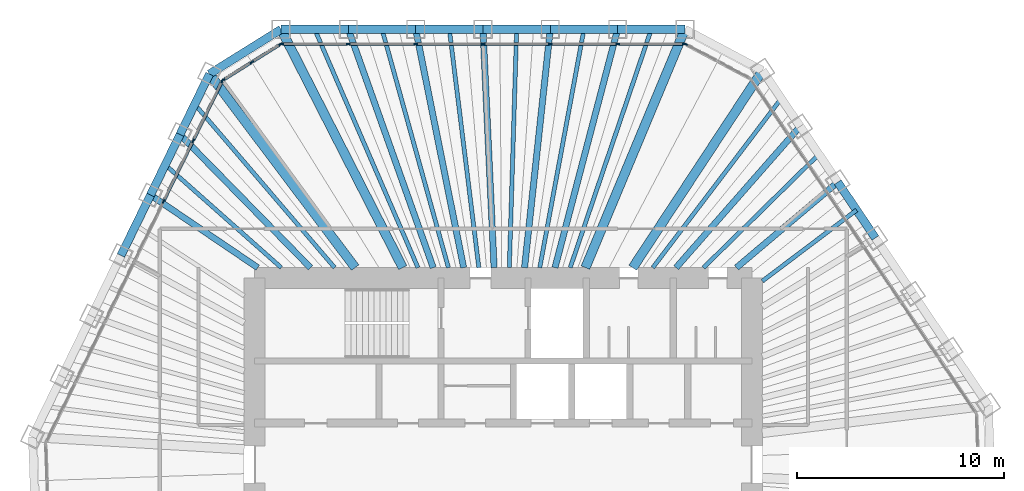
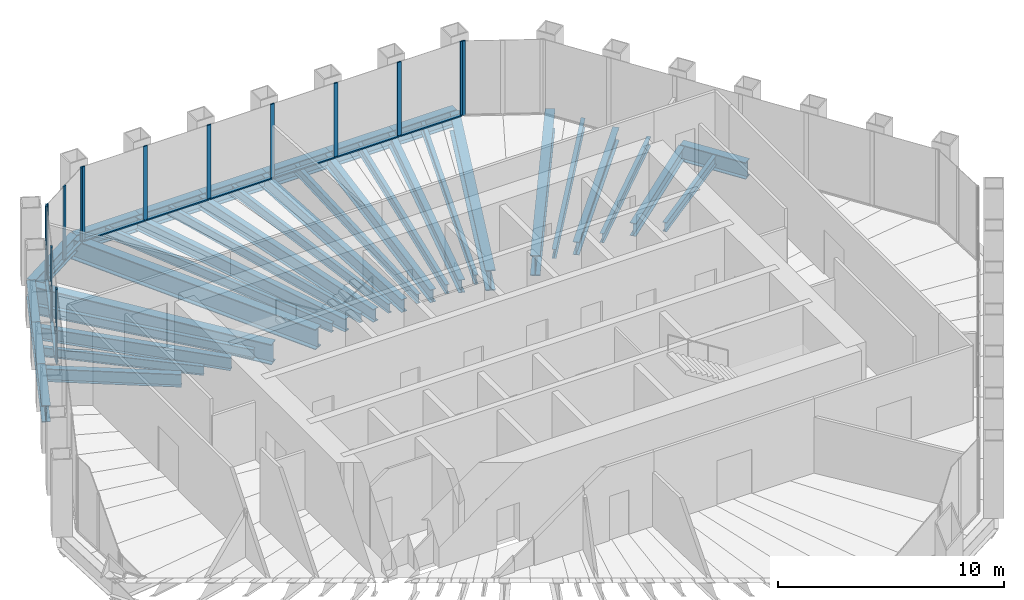
# One storey, part 7 of 14: 35 beams, 24 members, 4 elements without a shape of their own.
"""IFC4 building model written with IfcOpenShell, lengths in metres."""

from ifc_helpers import new_model, si_unit, direction, frame, origin, origin_2d, place, context, subcontext, project, spatial, rectangle, i_section, extrude, material, material_profile, profile_set, type_object, element, aggregate, save


model = new_model("IFC4")

# Units and contexts
model_context = context("Model", 3, precision=1e-05, world=origin(), true_north=direction((0.0, 1.0)))
body_context = subcontext(model_context, "Body", "Model", "MODEL_VIEW")
ifc_project = project(units=[si_unit("LENGTHUNIT", "METRE"), si_unit("AREAUNIT", "SQUARE_METRE"), si_unit("VOLUMEUNIT", "CUBIC_METRE"), si_unit("PLANEANGLEUNIT", "RADIAN"), si_unit("MASSUNIT", "GRAM", prefix="KILO")], contexts=[model_context])

# Site, building, storey
site_placement = place(None, origin())
site = spatial("IfcSite", under=ifc_project, at=site_placement, CompositionType="ELEMENT")
building_placement = place(site_placement, origin())
building = spatial("IfcBuilding", under=site, at=building_placement, Name="Qingtian Harvest Tower", CompositionType="ELEMENT")
storey_placement = place(building_placement, frame((0.0, 0.0, 295.60009765625)))
storey = spatial("IfcBuildingStorey", under=building, at=storey_placement, Name="L65", CompositionType="ELEMENT", Elevation=295.60009765625)

# Beams
ifc_material_1 = material(Name="Steel SM570MC", Category="steel")
ifc_material_profile_1 = material_profile(ifc_material_1, i_section(OverallWidth=0.449951171875, OverallDepth=1.10009765625, WebThickness=0.02197265625, FlangeThickness=0.044921875, at=origin_2d()), Name="H1100x450x22x45")
ifc_profile_set_1 = profile_set([ifc_material_profile_1], Name="Steel SM570MC")
beam_type_1 = type_object("IfcBeamType", Name="Corner floor beam FB8 H1100x450x22x45", PredefinedType="BEAM", material=ifc_profile_set_1)
beam_1_placement = place(storey_placement, frame((-10.72216796875, 21.0, -0.72021484375), z_axis=(0.454730568944, -0.890629052787, 0.0), x_axis=(0.890629052787, 0.454730568944, 0.0)))
element("IfcBeam", 1, at=beam_1_placement, inside=storey, type_object=beam_type_1, Name="Floor beam FB8 N0", PredefinedType="BEAM", context=body_context, shape_type="SweptSolid", body=[
    extrude(i_section(OverallWidth=0.449951171875, OverallDepth=1.10009765625, WebThickness=0.02197265625, FlangeThickness=0.044921875, at=origin_2d()), origin(), (0.0, 0.0, 1.0), 12.912109375),
])
beam_2_placement = place(storey_placement, frame((8.765869140625, 21.0, -0.72021484375), z_axis=(-0.385205133264, -0.922830973313, 0.0), x_axis=(0.922830973313, -0.385205133264, 0.0)))
element("IfcBeam", 2, at=beam_2_placement, inside=storey, type_object=beam_type_1, Name="Floor beam FB8 N6", PredefinedType="BEAM", context=body_context, shape_type="SweptSolid", body=[
    extrude(i_section(OverallWidth=0.449951171875, OverallDepth=1.10009765625, WebThickness=0.02197265625, FlangeThickness=0.044921875, at=origin_2d()), origin(), (0.0, 0.0, 1.0), 12.461669921875),
])
beam_3_placement = place(storey_placement, frame((12.508056640625, 19.01025390625, -0.72021484375), z_axis=(-0.549666916329, -0.835383912398, 0.0), x_axis=(0.835383912398, -0.549666916329, 0.0)))
element("IfcBeam", 3, at=beam_3_placement, inside=storey, type_object=beam_type_1, Name="Floor beam FB8 NE0", PredefinedType="BEAM", context=body_context, shape_type="SweptSolid", body=[
    extrude(i_section(OverallWidth=0.449951171875, OverallDepth=1.10009765625, WebThickness=0.02197265625, FlangeThickness=0.044921875, at=origin_2d()), origin(), (0.0, 0.0, 1.0), 11.38427734375),
])
beam_4_placement = place(storey_placement, frame((-14.17431640625, 18.8427734375, -0.72021484375), z_axis=(0.601148761641, -0.799137138655, 0.0), x_axis=(0.799137138655, 0.601148761641, 0.0)))
element("IfcBeam", 4, at=beam_4_placement, inside=storey, type_object=beam_type_1, Name="Floor beam FB8 NW6", PredefinedType="BEAM", context=body_context, shape_type="SweptSolid", body=[
    extrude(i_section(OverallWidth=0.449951171875, OverallDepth=1.10009765625, WebThickness=0.02197265625, FlangeThickness=0.044921875, at=origin_2d()), origin(), (0.0, 0.0, 1.0), 11.691162109375),
])
ifc_material_2 = material(Name="Steel SN490B", Category="steel")
ifc_material_profile_2 = material_profile(ifc_material_2, i_section(OverallWidth=0.300048828125, OverallDepth=0.699951171875, WebThickness=0.012939453125, FlangeThickness=0.02392578125, at=origin_2d()), Name="H700x300x13x24")
ifc_profile_set_2 = profile_set([ifc_material_profile_2], Name="Steel SN490B")
beam_type_2 = type_object("IfcBeamType", Name="Floor beam FB4 H700x300x13x24", PredefinedType="BEAM", material=ifc_profile_set_2)
beam_5_placement = place(storey_placement, frame((-7.47412109375, 21.0, -0.52001953125), z_axis=(0.335309922571, -0.94210787908, 0.0), x_axis=(0.94210787908, 0.335309922571, 0.0)))
element("IfcBeam", 5, at=beam_5_placement, inside=storey, type_object=beam_type_2, Name="Floor beam FB4 N1", PredefinedType="BEAM", context=body_context, shape_type="SweptSolid", body=[
    extrude(i_section(OverallWidth=0.300048828125, OverallDepth=0.699951171875, WebThickness=0.012939453125, FlangeThickness=0.02392578125, at=origin_2d()), origin(), (0.0, 0.0, 1.0), 12.206787109375),
])
beam_6_placement = place(storey_placement, frame((-4.226318359375, 21.0, -0.52001953125), z_axis=(0.197300692693, -0.980343019898, 0.0), x_axis=(0.980343019898, 0.197300692693, 0.0)))
element("IfcBeam", 6, at=beam_6_placement, inside=storey, type_object=beam_type_2, Name="Floor beam FB4 N2", PredefinedType="BEAM", context=body_context, shape_type="SweptSolid", body=[
    extrude(i_section(OverallWidth=0.300048828125, OverallDepth=0.699951171875, WebThickness=0.012939453125, FlangeThickness=0.02392578125, at=origin_2d()), origin(), (0.0, 0.0, 1.0), 11.73046875),
])
beam_7_placement = place(storey_placement, frame((-0.978271484375, 21.0, -0.52001953125), z_axis=(0.046527342366, -0.99891701678, 0.0), x_axis=(0.99891701678, 0.046527342366, 0.0)))
element("IfcBeam", 7, at=beam_7_placement, inside=storey, type_object=beam_type_2, Name="Floor beam FB4 N3", PredefinedType="BEAM", context=body_context, shape_type="SweptSolid", body=[
    extrude(i_section(OverallWidth=0.300048828125, OverallDepth=0.699951171875, WebThickness=0.012939453125, FlangeThickness=0.02392578125, at=origin_2d()), origin(), (0.0, 0.0, 1.0), 11.512451171875),
])
beam_8_placement = place(storey_placement, frame((2.269775390625, 21.0, -0.52001953125), z_axis=(-0.107454213734, -0.994210034123, 0.0), x_axis=(0.994210034123, -0.107454213734, 0.0)))
element("IfcBeam", 8, at=beam_8_placement, inside=storey, type_object=beam_type_2, Name="Floor beam FB4 N4", PredefinedType="BEAM", context=body_context, shape_type="SweptSolid", body=[
    extrude(i_section(OverallWidth=0.300048828125, OverallDepth=0.699951171875, WebThickness=0.012939453125, FlangeThickness=0.02392578125, at=origin_2d()), origin(), (0.0, 0.0, 1.0), 11.56689453125),
])
beam_9_placement = place(storey_placement, frame((5.517822265625, 21.0, -0.52001953125), z_axis=(-0.254132470973, -0.967169420111, 0.0), x_axis=(0.967169420111, -0.254132470973, 0.0)))
element("IfcBeam", 9, at=beam_9_placement, inside=storey, type_object=beam_type_2, Name="Floor beam FB4 N5", PredefinedType="BEAM", context=body_context, shape_type="SweptSolid", body=[
    extrude(i_section(OverallWidth=0.300048828125, OverallDepth=0.699951171875, WebThickness=0.012939453125, FlangeThickness=0.02392578125, at=origin_2d()), origin(), (0.0, 0.0, 1.0), 11.890380859375),
])
beam_10_placement = place(storey_placement, frame((14.32421875, 16.317626953125, -0.52001953125), z_axis=(-0.659702205655, -0.751527111856, 0.0), x_axis=(0.751527111856, -0.659702205655, 0.0)))
element("IfcBeam", 10, at=beam_10_placement, inside=storey, type_object=beam_type_2, Name="Floor beam FB4 NE1", PredefinedType="BEAM", context=body_context, shape_type="SweptSolid", body=[
    extrude(i_section(OverallWidth=0.300048828125, OverallDepth=0.699951171875, WebThickness=0.012939453125, FlangeThickness=0.02392578125, at=origin_2d()), origin(), (0.0, 0.0, 1.0), 9.07177734375),
])
beam_11_placement = place(storey_placement, frame((16.140625, 13.624755859375, -0.52001953125), z_axis=(-0.764153276603, -0.645034704382, 0.0), x_axis=(0.645034704382, -0.764153276603, 0.0)))
element("IfcBeam", 11, at=beam_11_placement, inside=storey, type_object=beam_type_2, Name="Floor beam FB4 NE2", PredefinedType="BEAM", context=body_context, shape_type="SweptSolid", body=[
    extrude(i_section(OverallWidth=0.300048828125, OverallDepth=0.699951171875, WebThickness=0.012939453125, FlangeThickness=0.02392578125, at=origin_2d()), origin(), (0.0, 0.0, 1.0), 6.39453125),
])
beam_12_placement = place(storey_placement, frame((-17.02197265625, 13.00439453125, -0.52001953125), z_axis=(0.827854296295, -0.560943191514, 0.0), x_axis=(0.560943191514, 0.827854296295, 0.0)))
element("IfcBeam", 12, at=beam_12_placement, inside=storey, type_object=beam_type_2, Name="Floor beam FB4 NW4", PredefinedType="BEAM", context=body_context, shape_type="SweptSolid", body=[
    extrude(i_section(OverallWidth=0.300048828125, OverallDepth=0.699951171875, WebThickness=0.012939453125, FlangeThickness=0.02392578125, at=origin_2d()), origin(), (0.0, 0.0, 1.0), 6.247314453125),
])
beam_13_placement = place(storey_placement, frame((-15.59814453125, 15.923583984375, -0.52001953125), z_axis=(0.699765413715, -0.714372707883, 0.0), x_axis=(0.714372707883, 0.699765413715, 0.0)))
element("IfcBeam", 13, at=beam_13_placement, inside=storey, type_object=beam_type_2, Name="Floor beam FB4 NW5", PredefinedType="BEAM", context=body_context, shape_type="SweptSolid", body=[
    extrude(i_section(OverallWidth=0.300048828125, OverallDepth=0.699951171875, WebThickness=0.012939453125, FlangeThickness=0.02392578125, at=origin_2d()), origin(), (0.0, 0.0, 1.0), 8.991943359375),
])
ifc_material_3 = material(Name="Steel SN490B", Category="steel")
ifc_material_profile_3 = material_profile(ifc_material_3, i_section(OverallWidth=0.199951171875, OverallDepth=0.5, WebThickness=0.010009765625, FlangeThickness=0.01611328125, at=origin_2d()), Name="H500x200x10x16")
ifc_profile_set_3 = profile_set([ifc_material_profile_3], Name="Steel SN490B")
beam_type_3 = type_object("IfcBeamType", Name="Floor joist J3 H500x200x10x16", PredefinedType="JOIST", material=ifc_profile_set_3)
beam_14_placement = place(storey_placement, frame((-9.09814453125, 21.0, -0.420166015625), z_axis=(0.397529807491, -0.917589261138, 0.0), x_axis=(0.917589261138, 0.397529807491, 0.0)))
element("IfcBeam", 14, at=beam_14_placement, inside=storey, type_object=beam_type_3, Name="Floor joist J3 N0", PredefinedType="JOIST", context=body_context, shape_type="SweptSolid", body=[
    extrude(i_section(OverallWidth=0.199951171875, OverallDepth=0.5, WebThickness=0.010009765625, FlangeThickness=0.01611328125, at=origin_2d()), origin(), (0.0, 0.0, 1.0), 12.532958984375),
])
beam_15_placement = place(storey_placement, frame((-5.85009765625, 21.0, -0.420166015625), z_axis=(0.268356818155, -0.963319582563, 0.0), x_axis=(0.963319582563, 0.268356818155, 0.0)))
element("IfcBeam", 15, at=beam_15_placement, inside=storey, type_object=beam_type_3, Name="Floor joist J3 N1", PredefinedType="JOIST", context=body_context, shape_type="SweptSolid", body=[
    extrude(i_section(OverallWidth=0.199951171875, OverallDepth=0.5, WebThickness=0.010009765625, FlangeThickness=0.01611328125, at=origin_2d()), origin(), (0.0, 0.0, 1.0), 11.93798828125),
])
beam_16_placement = place(storey_placement, frame((-2.602294921875, 21.0, -0.420166015625), z_axis=(0.122976702395, -0.992409557929, 0.0), x_axis=(0.992409557929, 0.122976702395, 0.0)))
element("IfcBeam", 16, at=beam_16_placement, inside=storey, type_object=beam_type_3, Name="Floor joist J3 N2", PredefinedType="JOIST", context=body_context, shape_type="SweptSolid", body=[
    extrude(i_section(OverallWidth=0.199951171875, OverallDepth=0.5, WebThickness=0.010009765625, FlangeThickness=0.01611328125, at=origin_2d()), origin(), (0.0, 0.0, 1.0), 11.587890625),
])
beam_17_placement = place(storey_placement, frame((0.645751953125, 21.0, -0.420166015625), z_axis=(-0.030725974878, -0.999527845769, 0.0), x_axis=(0.999527845769, -0.030725974878, 0.0)))
element("IfcBeam", 17, at=beam_17_placement, inside=storey, type_object=beam_type_3, Name="Floor joist J3 N3", PredefinedType="JOIST", context=body_context, shape_type="SweptSolid", body=[
    extrude(i_section(OverallWidth=0.199951171875, OverallDepth=0.5, WebThickness=0.010009765625, FlangeThickness=0.01611328125, at=origin_2d()), origin(), (0.0, 0.0, 1.0), 11.50537109375),
])
beam_18_placement = place(storey_placement, frame((3.893798828125, 21.0, -0.420166015625), z_axis=(-0.182312001941, -0.983240730416, 0.0), x_axis=(0.983240730416, -0.182312001941, 0.0)))
element("IfcBeam", 18, at=beam_18_placement, inside=storey, type_object=beam_type_3, Name="Floor joist J3 N4", PredefinedType="JOIST", context=body_context, shape_type="SweptSolid", body=[
    extrude(i_section(OverallWidth=0.199951171875, OverallDepth=0.5, WebThickness=0.010009765625, FlangeThickness=0.01611328125, at=origin_2d()), origin(), (0.0, 0.0, 1.0), 11.696044921875),
])
beam_19_placement = place(storey_placement, frame((7.141845703125, 21.0, -0.420166015625), z_axis=(-0.321968312345, -0.94675044539, 0.0), x_axis=(0.94675044539, -0.321968312345, 0.0)))
element("IfcBeam", 19, at=beam_19_placement, inside=storey, type_object=beam_type_3, Name="Floor joist J3 N5", PredefinedType="JOIST", context=body_context, shape_type="SweptSolid", body=[
    extrude(i_section(OverallWidth=0.199951171875, OverallDepth=0.5, WebThickness=0.010009765625, FlangeThickness=0.01611328125, at=origin_2d()), origin(), (0.0, 0.0, 1.0), 12.146728515625),
])
beam_20_placement = place(storey_placement, frame((13.416015625, 17.6640625, -0.420166015625), z_axis=(-0.604835675798, -0.796350303122, 0.0), x_axis=(0.796350303122, -0.604835675798, 0.0)))
element("IfcBeam", 20, at=beam_20_placement, inside=storey, type_object=beam_type_3, Name="Floor joist J3 NE0", PredefinedType="JOIST", context=body_context, shape_type="SweptSolid", body=[
    extrude(i_section(OverallWidth=0.199951171875, OverallDepth=0.5, WebThickness=0.010009765625, FlangeThickness=0.01611328125, at=origin_2d()), origin(), (0.0, 0.0, 1.0), 10.251953125),
])
beam_21_placement = place(storey_placement, frame((15.232421875, 14.97119140625, -0.420166015625), z_axis=(-0.713195408707, -0.700965269467, 0.0), x_axis=(0.700965269467, -0.713195408707, 0.0)))
element("IfcBeam", 21, at=beam_21_placement, inside=storey, type_object=beam_type_3, Name="Floor joist J3 NE1", PredefinedType="JOIST", context=body_context, shape_type="SweptSolid", body=[
    extrude(i_section(OverallWidth=0.199951171875, OverallDepth=0.5, WebThickness=0.010009765625, FlangeThickness=0.01611328125, at=origin_2d()), origin(), (0.0, 0.0, 1.0), 7.80517578125),
])
beam_22_placement = place(storey_placement, frame((17.048583984375, 12.278564453125, -0.420166015625), z_axis=(-0.79856269076, -0.601911645448, 0.0), x_axis=(0.601911645448, -0.79856269076, 0.0)))
element("IfcBeam", 22, at=beam_22_placement, inside=storey, type_object=beam_type_3, Name="Floor joist J3 NE2", PredefinedType="JOIST", context=body_context, shape_type="SweptSolid", body=[
    extrude(i_section(OverallWidth=0.199951171875, OverallDepth=0.5, WebThickness=0.010009765625, FlangeThickness=0.01611328125, at=origin_2d()), origin(), (0.0, 0.0, 1.0), 5.696044921875),
])
beam_23_placement = place(storey_placement, frame((-16.31005859375, 14.4638671875, -0.420166015625), z_axis=(0.748179407524, -0.663496476372, 0.0), x_axis=(0.663496476372, 0.748179407524, 0.0)))
element("IfcBeam", 23, at=beam_23_placement, inside=storey, type_object=beam_type_3, Name="Floor joist J3 NW4", PredefinedType="JOIST", context=body_context, shape_type="SweptSolid", body=[
    extrude(i_section(OverallWidth=0.199951171875, OverallDepth=0.5, WebThickness=0.010009765625, FlangeThickness=0.01611328125, at=origin_2d()), origin(), (0.0, 0.0, 1.0), 7.4814453125),
])
beam_24_placement = place(storey_placement, frame((-14.88623046875, 17.38330078125, -0.420166015625), z_axis=(0.650436795804, -0.7595603825, 0.0), x_axis=(0.7595603825, 0.650436795804, 0.0)))
element("IfcBeam", 24, at=beam_24_placement, inside=storey, type_object=beam_type_3, Name="Floor joist J3 NW5", PredefinedType="JOIST", context=body_context, shape_type="SweptSolid", body=[
    extrude(i_section(OverallWidth=0.199951171875, OverallDepth=0.5, WebThickness=0.010009765625, FlangeThickness=0.01611328125, at=origin_2d()), origin(), (0.0, 0.0, 1.0), 10.378662109375),
])

# Curtain wall, members
ifc_material_4 = material(Name="Bronze-anodised aluminium curtain wall", Category="aluminium")
curtain_wall_type = type_object("IfcCurtainWallType", Name="Curtain wall CW5 upper office", PredefinedType="USERDEFINED", material=ifc_material_4)
curtain_wall_1_placement = place(storey_placement, origin())
curtain_wall_1 = element("IfcCurtainWall", 25, at=curtain_wall_1_placement, inside=storey, type_object=curtain_wall_type, Name="Curtain wall CW5 L65 N0-5", ObjectType="RECESSED CURTAIN WALL", PredefinedType="USERDEFINED")
ifc_material_5 = material(Name="Bronze-anodised aluminium mullion", Category="aluminium")
ifc_material_profile_4 = material_profile(ifc_material_5, rectangle(XDim=0.06494140625, YDim=0.199951171875, at=origin_2d()), Name="AL 65x200")
ifc_profile_set_4 = profile_set([ifc_material_profile_4], Name="Bronze-anodised aluminium mullion")
member_type_1 = type_object("IfcMemberType", Name="Mullion CWM 65x200", PredefinedType="MULLION", material=ifc_profile_set_4)
member_1_placement = place(storey_placement, frame((-10.689697265625, 20.300048828125, 0.0), z_axis=(0.0, 0.0, 1.0), x_axis=(0.0, 1.0, 0.0)))
member_1 = element("IfcMember", 26, at=member_1_placement, type_object=member_type_1, Name="CW5 mullion 1", PredefinedType="MULLION", context=body_context, shape_type="SweptSolid", body=[
    extrude(rectangle(XDim=0.06494140625, YDim=0.199951171875, at=origin_2d()), origin(), (0.0, 0.0, 1.0), 4.02978515625),
])
member_2_placement = place(storey_placement, frame((-7.47412109375, 20.300048828125, 0.0), z_axis=(0.0, 0.0, 1.0), x_axis=(0.0, 1.0, 0.0)))
member_2 = element("IfcMember", 27, at=member_2_placement, type_object=member_type_1, Name="CW5 mullion 2", PredefinedType="MULLION", context=body_context, shape_type="SweptSolid", body=[
    extrude(rectangle(XDim=0.06494140625, YDim=0.199951171875, at=origin_2d()), origin(), (0.0, 0.0, 1.0), 4.02978515625),
])
member_3_placement = place(storey_placement, frame((-4.226318359375, 20.300048828125, 0.0), z_axis=(0.0, 0.0, 1.0), x_axis=(0.0, 1.0, 0.0)))
member_3 = element("IfcMember", 28, at=member_3_placement, type_object=member_type_1, Name="CW5 mullion 3", PredefinedType="MULLION", context=body_context, shape_type="SweptSolid", body=[
    extrude(rectangle(XDim=0.06494140625, YDim=0.199951171875, at=origin_2d()), origin(), (0.0, 0.0, 1.0), 4.02978515625),
])
member_4_placement = place(storey_placement, frame((-0.978271484375, 20.300048828125, 0.0), z_axis=(0.0, 0.0, 1.0), x_axis=(0.0, 1.0, 0.0)))
member_4 = element("IfcMember", 29, at=member_4_placement, type_object=member_type_1, Name="CW5 mullion 4", PredefinedType="MULLION", context=body_context, shape_type="SweptSolid", body=[
    extrude(rectangle(XDim=0.06494140625, YDim=0.199951171875, at=origin_2d()), origin(), (0.0, 0.0, 1.0), 4.02978515625),
])
member_5_placement = place(storey_placement, frame((2.269775390625, 20.300048828125, 0.0), z_axis=(0.0, 0.0, 1.0), x_axis=(0.0, 1.0, 0.0)))
member_5 = element("IfcMember", 30, at=member_5_placement, type_object=member_type_1, Name="CW5 mullion 5", PredefinedType="MULLION", context=body_context, shape_type="SweptSolid", body=[
    extrude(rectangle(XDim=0.06494140625, YDim=0.199951171875, at=origin_2d()), origin(), (0.0, 0.0, 1.0), 4.02978515625),
])
member_6_placement = place(storey_placement, frame((5.517822265625, 20.300048828125, 0.0), z_axis=(0.0, 0.0, 1.0), x_axis=(0.0, 1.0, 0.0)))
member_6 = element("IfcMember", 31, at=member_6_placement, type_object=member_type_1, Name="CW5 mullion 6", PredefinedType="MULLION", context=body_context, shape_type="SweptSolid", body=[
    extrude(rectangle(XDim=0.06494140625, YDim=0.199951171875, at=origin_2d()), origin(), (0.0, 0.0, 1.0), 4.02978515625),
])
member_7_placement = place(storey_placement, frame((8.7333984375, 20.300048828125, 0.0), z_axis=(0.0, 0.0, 1.0), x_axis=(0.0, 1.0, 0.0)))
member_7 = element("IfcMember", 32, at=member_7_placement, type_object=member_type_1, Name="CW5 mullion 7", PredefinedType="MULLION", context=body_context, shape_type="SweptSolid", body=[
    extrude(rectangle(XDim=0.06494140625, YDim=0.199951171875, at=origin_2d()), origin(), (0.0, 0.0, 1.0), 4.02978515625),
])

# Curtain wall, member
curtain_wall_2_placement = place(storey_placement, origin())
curtain_wall_2 = element("IfcCurtainWall", 33, at=curtain_wall_2_placement, inside=storey, type_object=curtain_wall_type, Name="Curtain wall CW5 L65 NC", ObjectType="RECESSED CURTAIN WALL", PredefinedType="USERDEFINED")
member_8_placement = place(storey_placement, frame((8.794677734375, 20.28466796875, 0.0), z_axis=(0.0, 0.0, 1.0), x_axis=(0.469471562786, 0.882947592859, 0.0)))
member_8 = element("IfcMember", 34, at=member_8_placement, type_object=member_type_1, Name="CW5 mullion 1", PredefinedType="MULLION", context=body_context, shape_type="SweptSolid", body=[
    extrude(rectangle(XDim=0.06494140625, YDim=0.199951171875, at=origin_2d()), origin(), (0.0, 0.0, 1.0), 4.02978515625),
])
aggregate(curtain_wall_2, [member_8])

# Curtain wall, members
curtain_wall_3_placement = place(storey_placement, origin())
curtain_wall_3 = element("IfcCurtainWall", 35, at=curtain_wall_3_placement, inside=storey, type_object=curtain_wall_type, Name="Curtain wall CW5 L65 NW0-5", ObjectType="RECESSED CURTAIN WALL", PredefinedType="USERDEFINED")
member_9_placement = place(storey_placement, frame((-16.392822265625, 12.697509765625, 0.0), z_axis=(0.0, 0.0, 1.0), x_axis=(-0.898794046299, 0.438371146789, 0.0)))
member_9 = element("IfcMember", 36, at=member_9_placement, type_object=member_type_1, Name="CW5 mullion 5", PredefinedType="MULLION", context=body_context, shape_type="SweptSolid", body=[
    extrude(rectangle(XDim=0.06494140625, YDim=0.199951171875, at=origin_2d()), origin(), (0.0, 0.0, 1.0), 4.02978515625),
])
member_10_placement = place(storey_placement, frame((-14.968994140625, 15.61669921875, 0.0), z_axis=(0.0, 0.0, 1.0), x_axis=(-0.898794046299, 0.438371146789, 0.0)))
member_10 = element("IfcMember", 37, at=member_10_placement, type_object=member_type_1, Name="CW5 mullion 6", PredefinedType="MULLION", context=body_context, shape_type="SweptSolid", body=[
    extrude(rectangle(XDim=0.06494140625, YDim=0.199951171875, at=origin_2d()), origin(), (0.0, 0.0, 1.0), 4.02978515625),
])
member_11_placement = place(storey_placement, frame((-13.559326171875, 18.5068359375, 0.0), z_axis=(0.0, 0.0, 1.0), x_axis=(-0.898794046299, 0.438371146789, 0.0)))
member_11 = element("IfcMember", 38, at=member_11_placement, type_object=member_type_1, Name="CW5 mullion 7", PredefinedType="MULLION", context=body_context, shape_type="SweptSolid", body=[
    extrude(rectangle(XDim=0.06494140625, YDim=0.199951171875, at=origin_2d()), origin(), (0.0, 0.0, 1.0), 4.02978515625),
])

curtain_wall_4_placement = place(storey_placement, origin())
curtain_wall_4 = element("IfcCurtainWall", 39, at=curtain_wall_4_placement, inside=storey, type_object=curtain_wall_type, Name="Curtain wall CW5 L65 NWC", ObjectType="RECESSED CURTAIN WALL", PredefinedType="USERDEFINED")
member_12_placement = place(storey_placement, frame((-13.517578125, 18.55322265625, 0.0), z_axis=(0.0, 0.0, 1.0), x_axis=(-0.529919264233, 0.848048096156, 0.0)))
member_12 = element("IfcMember", 40, at=member_12_placement, type_object=member_type_1, Name="CW5 mullion 1", PredefinedType="MULLION", context=body_context, shape_type="SweptSolid", body=[
    extrude(rectangle(XDim=0.06494140625, YDim=0.199951171875, at=origin_2d()), origin(), (0.0, 0.0, 1.0), 4.02978515625),
])
member_13_placement = place(storey_placement, frame((-12.1337890625, 19.41796875, 0.0), z_axis=(0.0, 0.0, 1.0), x_axis=(-0.529919264233, 0.848048096156, 0.0)))
member_13 = element("IfcMember", 41, at=member_13_placement, type_object=member_type_1, Name="CW5 mullion 2", PredefinedType="MULLION", context=body_context, shape_type="SweptSolid", body=[
    extrude(rectangle(XDim=0.06494140625, YDim=0.199951171875, at=origin_2d()), origin(), (0.0, 0.0, 1.0), 4.02978515625),
])
member_14_placement = place(storey_placement, frame((-10.749755859375, 20.28271484375, 0.0), z_axis=(0.0, 0.0, 1.0), x_axis=(-0.529919264233, 0.848048096156, 0.0)))
member_14 = element("IfcMember", 42, at=member_14_placement, type_object=member_type_1, Name="CW5 mullion 3", PredefinedType="MULLION", context=body_context, shape_type="SweptSolid", body=[
    extrude(rectangle(XDim=0.06494140625, YDim=0.199951171875, at=origin_2d()), origin(), (0.0, 0.0, 1.0), 4.02978515625),
])

# Beams
ifc_material_6 = material(Name="Steel SN490B", Category="steel")
ifc_material_profile_5 = material_profile(ifc_material_6, i_section(OverallWidth=0.39990234375, OverallDepth=0.89990234375, WebThickness=0.01904296875, FlangeThickness=0.035888671875, at=origin_2d()), Name="H900x400x19x36")
ifc_profile_set_5 = profile_set([ifc_material_profile_5], Name="Steel SN490B")
beam_type_4 = type_object("IfcBeamType", Name="Spandrel beam SB4 H900x400x19x36", PredefinedType="SPANDREL", material=ifc_profile_set_5)
beam_25_placement = place(storey_placement, frame((-10.72216796875, 21.0, -0.4501953125), z_axis=(1.0, 0.0, 0.0), x_axis=(0.0, 1.0, 0.0)))
element("IfcBeam", 43, at=beam_25_placement, inside=storey, type_object=beam_type_4, Name="Spandrel SB4 N0", PredefinedType="SPANDREL", context=body_context, shape_type="SweptSolid", body=[
    extrude(i_section(OverallWidth=0.39990234375, OverallDepth=0.89990234375, WebThickness=0.01904296875, FlangeThickness=0.035888671875, at=origin_2d()), origin(), (0.0, 0.0, 1.0), 3.248046875),
])
beam_26_placement = place(storey_placement, frame((-7.47412109375, 21.0, -0.4501953125), z_axis=(1.0, 0.0, 0.0), x_axis=(0.0, 1.0, 0.0)))
element("IfcBeam", 44, at=beam_26_placement, inside=storey, type_object=beam_type_4, Name="Spandrel SB4 N1", PredefinedType="SPANDREL", context=body_context, shape_type="SweptSolid", body=[
    extrude(i_section(OverallWidth=0.39990234375, OverallDepth=0.89990234375, WebThickness=0.01904296875, FlangeThickness=0.035888671875, at=origin_2d()), origin(), (0.0, 0.0, 1.0), 3.247802734375),
])
for number, where, z_axis, x_axis, name in (
    (45, (-4.226318359375, 21.0, -0.4501953125), (1.0, 0.0, 0.0), (0.0, 1.0, 0.0), "Spandrel SB4 N2"),
    (46, (-0.978271484375, 21.0, -0.4501953125), (1.0, 0.0, 0.0), (0.0, 1.0, 0.0), "Spandrel SB4 N3"),
    (47, (2.269775390625, 21.0, -0.4501953125), (1.0, 0.0, 0.0), (0.0, 1.0, 0.0), "Spandrel SB4 N4"),
    (48, (5.517822265625, 21.0, -0.4501953125), (1.0, 0.0, 0.0), (0.0, 1.0, 0.0), "Spandrel SB4 N5"),
):
    element("IfcBeam", number, at=place(storey_placement, frame(where, z_axis=z_axis, x_axis=x_axis)), inside=storey, type_object=beam_type_4, Name=name, PredefinedType="SPANDREL", context=body_context, shape_type="SweptSolid", body=[
        extrude(i_section(OverallWidth=0.39990234375, OverallDepth=0.89990234375, WebThickness=0.01904296875, FlangeThickness=0.035888671875, at=origin_2d()), origin(), (0.0, 0.0, 1.0), 3.248046875),
    ])
beam_27_placement = place(storey_placement, frame((16.140625, 13.624755859375, -0.4501953125), z_axis=(0.559184924833, -0.829042954158, 0.0), x_axis=(0.829042954158, 0.559184924833, 0.0)))
element("IfcBeam", 49, at=beam_27_placement, inside=storey, type_object=beam_type_4, Name="Spandrel SB4 NE2", PredefinedType="SPANDREL", context=body_context, shape_type="SweptSolid", body=[
    extrude(i_section(OverallWidth=0.39990234375, OverallDepth=0.89990234375, WebThickness=0.01904296875, FlangeThickness=0.035888671875, at=origin_2d()), origin(), (0.0, 0.0, 1.0), 3.247802734375),
])
beam_28_placement = place(storey_placement, frame((-18.44580078125, 10.0849609375, -0.4501953125), z_axis=(0.438352548749, 0.898803116931, 0.0), x_axis=(-0.898803116931, 0.438352548749, 0.0)))
element("IfcBeam", 50, at=beam_28_placement, inside=storey, type_object=beam_type_4, Name="Spandrel SB4 NW3", PredefinedType="SPANDREL", context=body_context, shape_type="SweptSolid", body=[
    extrude(i_section(OverallWidth=0.39990234375, OverallDepth=0.89990234375, WebThickness=0.01904296875, FlangeThickness=0.035888671875, at=origin_2d()), origin(), (0.0, 0.0, 1.0), 3.248046875),
])
for number, where, z_axis, x_axis, name in (
    (51, (-17.02197265625, 13.00439453125, -0.4501953125), (0.438382164311, 0.898788672611, 0.0), (-0.898788672611, 0.438382164311, 0.0), "Spandrel SB4 NW4"),
    (52, (-15.59814453125, 15.923583984375, -0.4501953125), (0.438382164311, 0.898788672611, 0.0), (-0.898788672611, 0.438382164311, 0.0), "Spandrel SB4 NW5"),
):
    element("IfcBeam", number, at=place(storey_placement, frame(where, z_axis=z_axis, x_axis=x_axis)), inside=storey, type_object=beam_type_4, Name=name, PredefinedType="SPANDREL", context=body_context, shape_type="SweptSolid", body=[
        extrude(i_section(OverallWidth=0.39990234375, OverallDepth=0.89990234375, WebThickness=0.01904296875, FlangeThickness=0.035888671875, at=origin_2d()), origin(), (0.0, 0.0, 1.0), 3.247802734375),
    ])
beam_29_placement = place(storey_placement, frame((-14.17431640625, 18.8427734375, -0.4501953125), z_axis=(0.848038733752, 0.529934246919, 0.0), x_axis=(-0.529934246919, 0.848038733752, 0.0)))
element("IfcBeam", 53, at=beam_29_placement, inside=storey, type_object=beam_type_4, Name="Spandrel SB4 NWC", PredefinedType="SPANDREL", context=body_context, shape_type="SweptSolid", body=[
    extrude(i_section(OverallWidth=0.39990234375, OverallDepth=0.89990234375, WebThickness=0.01904296875, FlangeThickness=0.035888671875, at=origin_2d()), origin(), (0.0, 0.0, 1.0), 4.07080078125),
])

# Member
ifc_material_7 = material(Name="Bronze-anodised aluminium transom", Category="aluminium")
ifc_material_profile_6 = material_profile(ifc_material_7, rectangle(XDim=0.14990234375, YDim=0.06494140625, at=origin_2d()), Name="AL 65x150")
ifc_profile_set_6 = profile_set([ifc_material_profile_6], Name="Bronze-anodised aluminium transom")
member_type_2 = type_object("IfcMemberType", Name="Transom CWT 65x150", PredefinedType="USERDEFINED", material=ifc_profile_set_6)
member_15_placement = place(storey_placement, frame((-10.6572265625, 20.300048828125, 0.032470703125), z_axis=(1.0, 0.0, 0.0), x_axis=(0.0, 1.0, 0.0)))
member_15 = element("IfcMember", 54, at=member_15_placement, type_object=member_type_2, Name="CW5 transom 1.1", ObjectType="TRANSOM", PredefinedType="USERDEFINED", context=body_context, shape_type="SweptSolid", body=[
    extrude(rectangle(XDim=0.14990234375, YDim=0.06494140625, at=origin_2d()), origin(), (0.0, 0.0, 1.0), 3.150390625),
])

member_16_placement = place(storey_placement, frame((-7.441650390625, 20.300048828125, 0.032470703125), z_axis=(1.0, 0.0, 0.0), x_axis=(0.0, 1.0, 0.0)))
member_16 = element("IfcMember", 55, at=member_16_placement, type_object=member_type_2, Name="CW5 transom 2.1", ObjectType="TRANSOM", PredefinedType="USERDEFINED", context=body_context, shape_type="SweptSolid", body=[
    extrude(rectangle(XDim=0.14990234375, YDim=0.06494140625, at=origin_2d()), origin(), (0.0, 0.0, 1.0), 3.182861328125),
])

member_17_placement = place(storey_placement, frame((-4.193603515625, 20.300048828125, 0.032470703125), z_axis=(1.0, 0.0, 0.0), x_axis=(0.0, 1.0, 0.0)))
member_17 = element("IfcMember", 56, at=member_17_placement, type_object=member_type_2, Name="CW5 transom 3.1", ObjectType="TRANSOM", PredefinedType="USERDEFINED", context=body_context, shape_type="SweptSolid", body=[
    extrude(rectangle(XDim=0.14990234375, YDim=0.06494140625, at=origin_2d()), origin(), (0.0, 0.0, 1.0), 3.182861328125),
])

member_18_placement = place(storey_placement, frame((-0.94580078125, 20.300048828125, 0.032470703125), z_axis=(1.0, 0.0, 0.0), x_axis=(0.0, 1.0, 0.0)))
member_18 = element("IfcMember", 57, at=member_18_placement, type_object=member_type_2, Name="CW5 transom 4.1", ObjectType="TRANSOM", PredefinedType="USERDEFINED", context=body_context, shape_type="SweptSolid", body=[
    extrude(rectangle(XDim=0.14990234375, YDim=0.06494140625, at=origin_2d()), origin(), (0.0, 0.0, 1.0), 3.18310546875),
])

member_19_placement = place(storey_placement, frame((2.30224609375, 20.300048828125, 0.032470703125), z_axis=(1.0, 0.0, 0.0), x_axis=(0.0, 1.0, 0.0)))
member_19 = element("IfcMember", 58, at=member_19_placement, type_object=member_type_2, Name="CW5 transom 5.1", ObjectType="TRANSOM", PredefinedType="USERDEFINED", context=body_context, shape_type="SweptSolid", body=[
    extrude(rectangle(XDim=0.14990234375, YDim=0.06494140625, at=origin_2d()), origin(), (0.0, 0.0, 1.0), 3.18310546875),
])

member_20_placement = place(storey_placement, frame((5.55029296875, 20.300048828125, 0.032470703125), z_axis=(1.0, 0.0, 0.0), x_axis=(0.0, 1.0, 0.0)))
member_20 = element("IfcMember", 59, at=member_20_placement, type_object=member_type_2, Name="CW5 transom 6.1", ObjectType="TRANSOM", PredefinedType="USERDEFINED", context=body_context, shape_type="SweptSolid", body=[
    extrude(rectangle(XDim=0.14990234375, YDim=0.06494140625, at=origin_2d()), origin(), (0.0, 0.0, 1.0), 3.150634765625),
])

aggregate(curtain_wall_1, [member_1, member_2, member_3, member_4, member_5, member_6, member_7, member_15, member_16, member_17, member_18, member_19, member_20])

member_21_placement = place(storey_placement, frame((-16.378662109375, 12.7265625, 0.032470703125), z_axis=(0.438355626738, 0.898801615768, 0.0), x_axis=(-0.898801615768, 0.438355626738, 0.0)))
member_21 = element("IfcMember", 60, at=member_21_placement, type_object=member_type_2, Name="CW5 transom 5.1", ObjectType="TRANSOM", PredefinedType="USERDEFINED", context=body_context, shape_type="SweptSolid", body=[
    extrude(rectangle(XDim=0.14990234375, YDim=0.06494140625, at=origin_2d()), origin(), (0.0, 0.0, 1.0), 3.182861328125),
])

member_22_placement = place(storey_placement, frame((-14.954833984375, 15.64599609375, 0.032470703125), z_axis=(0.438388515075, 0.898785575012, 0.0), x_axis=(-0.898785575012, 0.438388515075, 0.0)))
member_22 = element("IfcMember", 61, at=member_22_placement, type_object=member_type_2, Name="CW5 transom 6.1", ObjectType="TRANSOM", PredefinedType="USERDEFINED", context=body_context, shape_type="SweptSolid", body=[
    extrude(rectangle(XDim=0.14990234375, YDim=0.06494140625, at=origin_2d()), origin(), (0.0, 0.0, 1.0), 3.150390625),
])

aggregate(curtain_wall_3, [member_9, member_10, member_11, member_21, member_22])

member_23_placement = place(storey_placement, frame((-13.489990234375, 18.570556640625, 0.032470703125), z_axis=(0.848015812303, 0.529970925697, 0.0), x_axis=(-0.529970925697, 0.848015812303, 0.0)))
member_23 = element("IfcMember", 62, at=member_23_placement, type_object=member_type_2, Name="CW5 transom 1.1", ObjectType="TRANSOM", PredefinedType="USERDEFINED", context=body_context, shape_type="SweptSolid", body=[
    extrude(rectangle(XDim=0.14990234375, YDim=0.06494140625, at=origin_2d()), origin(), (0.0, 0.0, 1.0), 1.566650390625),
])

member_24_placement = place(storey_placement, frame((-12.106201171875, 19.435302734375, 0.032470703125), z_axis=(0.848059570903, 0.529900900357, 0.0), x_axis=(-0.529900900357, 0.848059570903, 0.0)))
member_24 = element("IfcMember", 63, at=member_24_placement, type_object=member_type_2, Name="CW5 transom 2.1", ObjectType="TRANSOM", PredefinedType="USERDEFINED", context=body_context, shape_type="SweptSolid", body=[
    extrude(rectangle(XDim=0.14990234375, YDim=0.06494140625, at=origin_2d()), origin(), (0.0, 0.0, 1.0), 1.56689453125),
])

aggregate(curtain_wall_4, [member_12, member_13, member_14, member_23, member_24])

save(model, "model.ifc")
